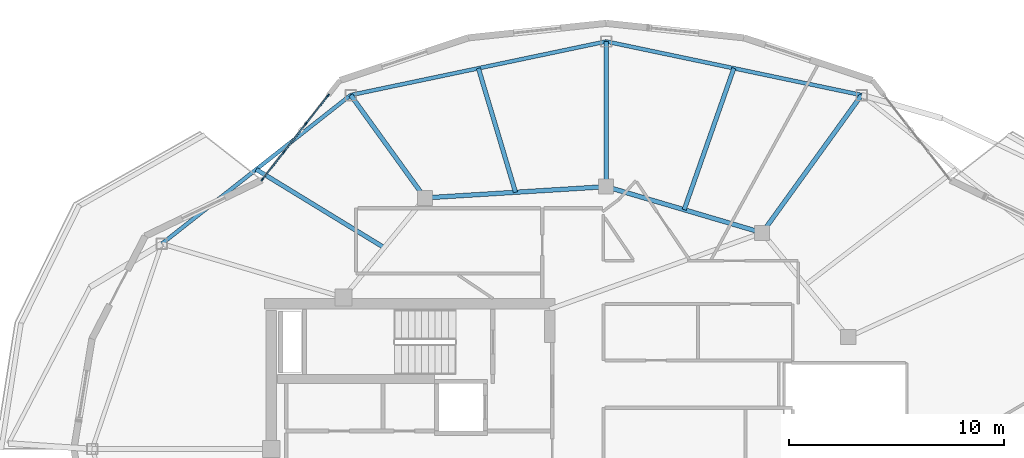
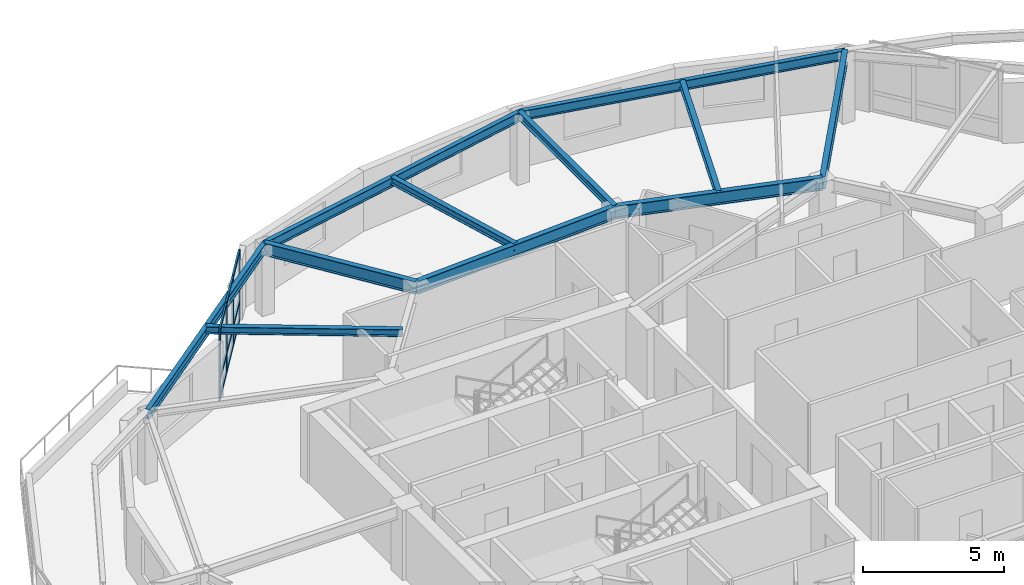
# One storey, part 2 of 12: 13 members, 11 beams, 1 element without a shape of its own.
"""IFC4 building model written with IfcOpenShell, lengths in metres."""

from ifc_helpers import new_model, si_unit, direction, frame, origin, origin_2d, place, context, subcontext, project, spatial, rectangle, i_section, extrude, material, layer, layer_set, material_profile, profile_set, type_object, element, aggregate, save


model = new_model("IFC4")

# Units and contexts
model_context = context("Model", 3, precision=1e-05, world=origin(), true_north=direction((0.0, 1.0)))
body_context = subcontext(model_context, "Body", "Model", "MODEL_VIEW")
ifc_project = project(units=[si_unit("LENGTHUNIT", "METRE"), si_unit("AREAUNIT", "SQUARE_METRE"), si_unit("VOLUMEUNIT", "CUBIC_METRE"), si_unit("PLANEANGLEUNIT", "RADIAN"), si_unit("MASSUNIT", "GRAM", prefix="KILO")], contexts=[model_context])

# Site, building, storey
site_placement = place(None, origin())
site = spatial("IfcSite", under=ifc_project, at=site_placement, CompositionType="ELEMENT")
building_placement = place(site_placement, origin())
building = spatial("IfcBuilding", under=site, at=building_placement, Name="Kolvaren Gate Tower and Convention Centre", CompositionType="ELEMENT")
storey_placement = place(building_placement, frame((0.0, 0.0, 199.699951171875)))
storey = spatial("IfcBuildingStorey", under=building, at=storey_placement, Name="L52", CompositionType="ELEMENT", Elevation=199.699951171875)

# Curtain wall, members
ifc_material_1 = material(Name="Anodized Architectural Aluminium Alloy 6063-T6", Category="aluminium")
ifc_layer = layer(ifc_material_1, 0.159912109375)
ifc_layer_set = layer_set([ifc_layer], Name="Anodized Architectural Aluminium Alloy 6063-T6")
curtain_wall_type = type_object("IfcCurtainWallType", Name="CW-RES-UNIT", PredefinedType="NOTDEFINED", material=ifc_layer_set)
curtain_wall_placement = place(storey_placement, origin())
curtain_wall = element("IfcCurtainWall", 1, at=curtain_wall_placement, inside=storey, type_object=curtain_wall_type, Name="Tower L52 Unitised Curtain Wall CW-RES-UNIT Bay 08", PredefinedType="NOTDEFINED")
ifc_material_profile_1 = material_profile(ifc_material_1, rectangle(XDim=0.06494140625, YDim=0.159912109375, at=origin_2d()), Name="CW-MEM-MUL-160")
ifc_profile_set_1 = profile_set([ifc_material_profile_1], Name="Anodized Architectural Aluminium Alloy 6063-T6")
member_type_1 = type_object("IfcMemberType", Name="CW-MEM-MUL-160", PredefinedType="MULLION", material=ifc_profile_set_1)
member_1_placement = place(storey_placement, frame((14.137451171875, 39.532958984375, 0.0), z_axis=(0.0, 0.0, 1.0), x_axis=(-0.787409932974, 0.616429718179, 0.0)))
member_1 = element("IfcMember", 2, at=member_1_placement, type_object=member_type_1, Name="CW-04 mullion 1", PredefinedType="MULLION", context=body_context, shape_type="SweptSolid", body=[
    extrude(rectangle(XDim=0.06494140625, YDim=0.159912109375, at=origin_2d()), origin(), (0.0, 0.0, 1.0), 3.030029296875),
])
member_2_placement = place(storey_placement, frame((15.1484375, 40.82421875, 0.0), z_axis=(0.0, 0.0, 1.0), x_axis=(-0.787409932974, 0.616429718179, 0.0)))
member_2 = element("IfcMember", 3, at=member_2_placement, type_object=member_type_1, Name="CW-04 mullion 2", PredefinedType="MULLION", context=body_context, shape_type="SweptSolid", body=[
    extrude(rectangle(XDim=0.06494140625, YDim=0.159912109375, at=origin_2d()), origin(), (0.0, 0.0, 1.0), 3.030029296875),
])
member_3_placement = place(storey_placement, frame((16.17919921875, 42.140869140625, 0.0), z_axis=(0.0, 0.0, 1.0), x_axis=(-0.787409932974, 0.616429718179, 0.0)))
member_3 = element("IfcMember", 4, at=member_3_placement, type_object=member_type_1, Name="CW-04 mullion 3", PredefinedType="MULLION", context=body_context, shape_type="SweptSolid", body=[
    extrude(rectangle(XDim=0.06494140625, YDim=0.159912109375, at=origin_2d()), origin(), (0.0, 0.0, 1.0), 3.030029296875),
])
member_4_placement = place(storey_placement, frame((17.190185546875, 43.43212890625, 0.0), z_axis=(0.0, 0.0, 1.0), x_axis=(-0.787409932974, 0.616429718179, 0.0)))
member_4 = element("IfcMember", 5, at=member_4_placement, type_object=member_type_1, Name="CW-04 mullion 4", PredefinedType="MULLION", context=body_context, shape_type="SweptSolid", body=[
    extrude(rectangle(XDim=0.06494140625, YDim=0.159912109375, at=origin_2d()), origin(), (0.0, 0.0, 1.0), 3.030029296875),
])
ifc_material_profile_2 = material_profile(ifc_material_1, rectangle(XDim=0.06494140625, YDim=0.159912109375, at=origin_2d()), Name="CW-MEM-TRN-160")
ifc_profile_set_2 = profile_set([ifc_material_profile_2], Name="Anodized Architectural Aluminium Alloy 6063-T6")
member_type_2 = type_object("IfcMemberType", Name="CW-MEM-TRN-160", PredefinedType="USERDEFINED", material=ifc_profile_set_2)
member_5_placement = place(storey_placement, frame((14.157470703125, 39.55859375, 0.032470703125), z_axis=(0.616513055725, 0.787344684443, 0.0), x_axis=(-0.787344684443, 0.616513055725, 0.0)))
member_5 = element("IfcMember", 6, at=member_5_placement, type_object=member_type_2, Name="CW-04 transom 1.1", ObjectType="TRANSOM", PredefinedType="USERDEFINED", context=body_context, shape_type="SweptSolid", body=[
    extrude(rectangle(XDim=0.06494140625, YDim=0.159912109375, at=origin_2d()), origin(), (0.0, 0.0, 1.0), 1.574951171875),
])
member_6_placement = place(storey_placement, frame((14.157470703125, 39.55859375, 0.85009765625), z_axis=(0.616513055725, 0.787344684443, 0.0), x_axis=(-0.787344684443, 0.616513055725, 0.0)))
member_6 = element("IfcMember", 7, at=member_6_placement, type_object=member_type_2, Name="CW-04 transom 1.2", ObjectType="TRANSOM", PredefinedType="USERDEFINED", context=body_context, shape_type="SweptSolid", body=[
    extrude(rectangle(XDim=0.06494140625, YDim=0.159912109375, at=origin_2d()), origin(), (0.0, 0.0, 1.0), 1.574951171875),
])
member_7_placement = place(storey_placement, frame((14.157470703125, 39.55859375, 2.99755859375), z_axis=(0.616513055725, 0.787344684443, 0.0), x_axis=(-0.787344684443, 0.616513055725, 0.0)))
member_7 = element("IfcMember", 8, at=member_7_placement, type_object=member_type_2, Name="CW-04 transom 1.3", ObjectType="TRANSOM", PredefinedType="USERDEFINED", context=body_context, shape_type="SweptSolid", body=[
    extrude(rectangle(XDim=0.06494140625, YDim=0.159912109375, at=origin_2d()), origin(), (0.0, 0.0, 1.0), 1.574951171875),
])
member_8_placement = place(storey_placement, frame((15.16845703125, 40.849609375, 0.032470703125), z_axis=(0.616398363045, 0.787434478567, 0.0), x_axis=(-0.787434478567, 0.616398363045, 0.0)))
member_8 = element("IfcMember", 9, at=member_8_placement, type_object=member_type_2, Name="CW-04 transom 2.1", ObjectType="TRANSOM", PredefinedType="USERDEFINED", context=body_context, shape_type="SweptSolid", body=[
    extrude(rectangle(XDim=0.06494140625, YDim=0.159912109375, at=origin_2d()), origin(), (0.0, 0.0, 1.0), 1.607177734375),
])
member_9_placement = place(storey_placement, frame((15.16845703125, 40.849609375, 0.85009765625), z_axis=(0.616398363045, 0.787434478567, 0.0), x_axis=(-0.787434478567, 0.616398363045, 0.0)))
member_9 = element("IfcMember", 10, at=member_9_placement, type_object=member_type_2, Name="CW-04 transom 2.2", ObjectType="TRANSOM", PredefinedType="USERDEFINED", context=body_context, shape_type="SweptSolid", body=[
    extrude(rectangle(XDim=0.06494140625, YDim=0.159912109375, at=origin_2d()), origin(), (0.0, 0.0, 1.0), 1.607177734375),
])
member_10_placement = place(storey_placement, frame((15.16845703125, 40.849609375, 2.99755859375), z_axis=(0.616398363045, 0.787434478567, 0.0), x_axis=(-0.787434478567, 0.616398363045, 0.0)))
member_10 = element("IfcMember", 11, at=member_10_placement, type_object=member_type_2, Name="CW-04 transom 2.3", ObjectType="TRANSOM", PredefinedType="USERDEFINED", context=body_context, shape_type="SweptSolid", body=[
    extrude(rectangle(XDim=0.06494140625, YDim=0.159912109375, at=origin_2d()), origin(), (0.0, 0.0, 1.0), 1.607177734375),
])
member_11_placement = place(storey_placement, frame((16.19921875, 42.16650390625, 0.032470703125), z_axis=(0.616416943475, 0.787419933579, 0.0), x_axis=(-0.787419933579, 0.616416943475, 0.0)))
member_11 = element("IfcMember", 12, at=member_11_placement, type_object=member_type_2, Name="CW-04 transom 3.1", ObjectType="TRANSOM", PredefinedType="USERDEFINED", context=body_context, shape_type="SweptSolid", body=[
    extrude(rectangle(XDim=0.06494140625, YDim=0.159912109375, at=origin_2d()), origin(), (0.0, 0.0, 1.0), 1.57470703125),
])
member_12_placement = place(storey_placement, frame((16.19921875, 42.16650390625, 0.85009765625), z_axis=(0.616416943475, 0.787419933579, 0.0), x_axis=(-0.787419933579, 0.616416943475, 0.0)))
member_12 = element("IfcMember", 13, at=member_12_placement, type_object=member_type_2, Name="CW-04 transom 3.2", ObjectType="TRANSOM", PredefinedType="USERDEFINED", context=body_context, shape_type="SweptSolid", body=[
    extrude(rectangle(XDim=0.06494140625, YDim=0.159912109375, at=origin_2d()), origin(), (0.0, 0.0, 1.0), 1.57470703125),
])
member_13_placement = place(storey_placement, frame((16.19921875, 42.16650390625, 2.99755859375), z_axis=(0.616416943475, 0.787419933579, 0.0), x_axis=(-0.787419933579, 0.616416943475, 0.0)))
member_13 = element("IfcMember", 14, at=member_13_placement, type_object=member_type_2, Name="CW-04 transom 3.3", ObjectType="TRANSOM", PredefinedType="USERDEFINED", context=body_context, shape_type="SweptSolid", body=[
    extrude(rectangle(XDim=0.06494140625, YDim=0.159912109375, at=origin_2d()), origin(), (0.0, 0.0, 1.0), 1.57470703125),
])
aggregate(curtain_wall, [member_1, member_2, member_3, member_4, member_5, member_6, member_7, member_8, member_9, member_10, member_11, member_12, member_13])

# Beams
ifc_material_2 = material(Name="Structural steel ASTM A992 Grade 345 MPa", Category="steel")
ifc_material_profile_3 = material_profile(ifc_material_2, i_section(OverallWidth=0.2119140625, OverallDepth=0.5439453125, WebThickness=0.01318359375, FlangeThickness=0.021240234375, at=origin_2d()), Name="W530X123")
ifc_profile_set_3 = profile_set([ifc_material_profile_3], Name="Structural steel ASTM A992 Grade 345 MPa")
beam_type_1 = type_object("IfcBeamType", Name="STR-BM-W530X123", PredefinedType="BEAM", material=ifc_profile_set_3)
beam_1_placement = place(storey_placement, frame((37.381591796875, 37.054931640625, 2.758056640625), z_axis=(-0.958980837827, 0.283470902706, 0.0), x_axis=(-0.283470902706, -0.958980837827, 0.0)))
element("IfcBeam", 15, at=beam_1_placement, inside=storey, type_object=beam_type_1, Name="Tower L52 Primary Ring Girder G-03", PredefinedType="BEAM", context=body_context, shape_type="SweptSolid", body=[
    extrude(i_section(OverallWidth=0.2119140625, OverallDepth=0.5439453125, WebThickness=0.01318359375, FlangeThickness=0.021240234375, at=origin_2d()), origin(), (0.0, 0.0, 1.0), 7.56689453125),
])
beam_2_placement = place(storey_placement, frame((30.125, 39.199951171875, 2.758056640625), z_axis=(-0.998078258568, -0.06196603726, 0.0), x_axis=(0.06196603726, -0.998078258568, 0.0)))
element("IfcBeam", 16, at=beam_2_placement, inside=storey, type_object=beam_type_1, Name="Tower L52 Primary Ring Girder G-04", PredefinedType="BEAM", context=body_context, shape_type="SweptSolid", body=[
    extrude(i_section(OverallWidth=0.2119140625, OverallDepth=0.5439453125, WebThickness=0.01318359375, FlangeThickness=0.021240234375, at=origin_2d()), origin(), (0.0, 0.0, 1.0), 8.443115234375),
])
beam_3_placement = place(storey_placement, frame((37.381591796875, 37.054931640625, 2.758056640625), z_axis=(0.585211694794, 0.810880553643, 0.0), x_axis=(-0.810880553643, 0.585211694794, 0.0)))
element("IfcBeam", 17, at=beam_3_placement, inside=storey, type_object=beam_type_1, Name="Tower L52 Radial Floor Girder RB-03", PredefinedType="BEAM", context=body_context, shape_type="SweptSolid", body=[
    extrude(i_section(OverallWidth=0.2119140625, OverallDepth=0.5439453125, WebThickness=0.01318359375, FlangeThickness=0.021240234375, at=origin_2d()), origin(), (0.0, 0.0, 1.0), 7.896484375),
])
beam_4_placement = place(storey_placement, frame((21.697998046875, 38.6767578125, 2.758056640625), z_axis=(-0.585218406802, 0.810875709552, 0.0), x_axis=(-0.810875709552, -0.585218406802, 0.0)))
element("IfcBeam", 18, at=beam_4_placement, inside=storey, type_object=beam_type_1, Name="Tower L52 Radial Floor Girder RB-05", PredefinedType="BEAM", context=body_context, shape_type="SweptSolid", body=[
    extrude(i_section(OverallWidth=0.2119140625, OverallDepth=0.5439453125, WebThickness=0.01318359375, FlangeThickness=0.021240234375, at=origin_2d()), origin(), (0.0, 0.0, 1.0), 5.896484375),
])
ifc_material_profile_4 = material_profile(ifc_material_2, i_section(OverallWidth=0.205078125, OverallDepth=0.31005859375, WebThickness=0.009521484375, FlangeThickness=0.016357421875, at=origin_2d()), Name="W310X74")
ifc_profile_set_4 = profile_set([ifc_material_profile_4], Name="Structural steel ASTM A992 Grade 345 MPa")
beam_type_2 = type_object("IfcBeamType", Name="STR-JS-W310X74", PredefinedType="JOIST", material=ifc_profile_set_4)
beam_5_placement = place(storey_placement, frame((30.125, 39.199951171875, 2.875), z_axis=(0.0, 1.0, 0.0), x_axis=(-1.0, 0.0, 0.0)))
element("IfcBeam", 19, at=beam_5_placement, inside=storey, type_object=beam_type_2, Name="Tower L52 Radial Floor Girder RB-04", PredefinedType="JOIST", context=body_context, shape_type="SweptSolid", body=[
    extrude(i_section(OverallWidth=0.205078125, OverallDepth=0.31005859375, WebThickness=0.009521484375, FlangeThickness=0.016357421875, at=origin_2d()), origin(), (0.0, 0.0, 1.0), 6.75),
])
beam_6_placement = place(storey_placement, frame((33.75341796875, 38.12744140625, 2.875), z_axis=(0.331432911821, 0.943478788824, 0.0), x_axis=(-0.943478788824, 0.331432911821, 0.0)))
element("IfcBeam", 20, at=beam_6_placement, inside=storey, type_object=beam_type_2, Name="Tower L52 Secondary Composite Floor Joist J-03.1", PredefinedType="JOIST", context=body_context, shape_type="SweptSolid", body=[
    extrude(i_section(OverallWidth=0.205078125, OverallDepth=0.31005859375, WebThickness=0.009521484375, FlangeThickness=0.016357421875, at=origin_2d()), origin(), (0.0, 0.0, 1.0), 6.970703125),
])
beam_7_placement = place(storey_placement, frame((25.91162109375, 38.938232421875, 2.875), z_axis=(-0.286674209033, 0.958028130002, 0.0), x_axis=(-0.958028130002, -0.286674209033, 0.0)))
element("IfcBeam", 21, at=beam_7_placement, inside=storey, type_object=beam_type_2, Name="Tower L52 Secondary Composite Floor Joist J-04.1", PredefinedType="JOIST", context=body_context, shape_type="SweptSolid", body=[
    extrude(i_section(OverallWidth=0.205078125, OverallDepth=0.31005859375, WebThickness=0.009521484375, FlangeThickness=0.016357421875, at=origin_2d()), origin(), (0.0, 0.0, 1.0), 6.0185546875),
])
beam_8_placement = place(storey_placement, frame((19.805908203125, 36.36328125, 2.875), z_axis=(-0.853232509014, 0.52153071392, 0.0), x_axis=(-0.52153071392, -0.853232509014, 0.0)))
element("IfcBeam", 22, at=beam_8_placement, inside=storey, type_object=beam_type_2, Name="Tower L52 Secondary Composite Floor Joist J-05.1", PredefinedType="JOIST", context=body_context, shape_type="SweptSolid", body=[
    extrude(i_section(OverallWidth=0.205078125, OverallDepth=0.31005859375, WebThickness=0.009521484375, FlangeThickness=0.016357421875, at=origin_2d()), origin(), (0.0, 0.0, 1.0), 6.974609375),
])
ifc_material_profile_5 = material_profile(ifc_material_2, i_section(OverallWidth=0.180908203125, OverallDepth=0.4169921875, WebThickness=0.010986328125, FlangeThickness=0.018310546875, at=origin_2d()), Name="W410X85")
ifc_profile_set_5 = profile_set([ifc_material_profile_5], Name="Structural steel ASTM A992 Grade 345 MPa")
beam_type_3 = type_object("IfcBeamType", Name="STR-SP-W410X85", PredefinedType="SPANDREL", material=ifc_profile_set_5)
for number, where, z_axis, x_axis, name in (
    (23, (42.002685546875, 43.4580078125, 2.821533203125), (-0.978692765917, 0.205330148645, 0.0), (-0.205330148645, -0.978692765917, 0.0), "Tower L52 Perimeter Spandrel Beam SP-03"),
    (24, (30.125, 45.949951171875, 2.821533203125), (-0.978692765917, -0.205330148645, 0.0), (0.205330148645, -0.978692765917, 0.0), "Tower L52 Perimeter Spandrel Beam SP-04"),
):
    element("IfcBeam", number, at=place(storey_placement, frame(where, z_axis=z_axis, x_axis=x_axis)), inside=storey, type_object=beam_type_3, Name=name, PredefinedType="SPANDREL", context=body_context, shape_type="SweptSolid", body=[
        extrude(i_section(OverallWidth=0.180908203125, OverallDepth=0.4169921875, WebThickness=0.010986328125, FlangeThickness=0.018310546875, at=origin_2d()), origin(), (0.0, 0.0, 1.0), 12.13623046875),
    ])
beam_9_placement = place(storey_placement, frame((18.247314453125, 43.4580078125, 2.821533203125), z_axis=(-0.78579365551, -0.618488747643, 0.0), x_axis=(0.618488747643, -0.78579365551, 0.0)))
element("IfcBeam", 25, at=beam_9_placement, inside=storey, type_object=beam_type_3, Name="Tower L52 Perimeter Spandrel Beam SP-05", PredefinedType="SPANDREL", context=body_context, shape_type="SweptSolid", body=[
    extrude(i_section(OverallWidth=0.180908203125, OverallDepth=0.4169921875, WebThickness=0.010986328125, FlangeThickness=0.018310546875, at=origin_2d()), origin(), (0.0, 0.0, 1.0), 11.179443359375),
])

save(model, "model.ifc")
